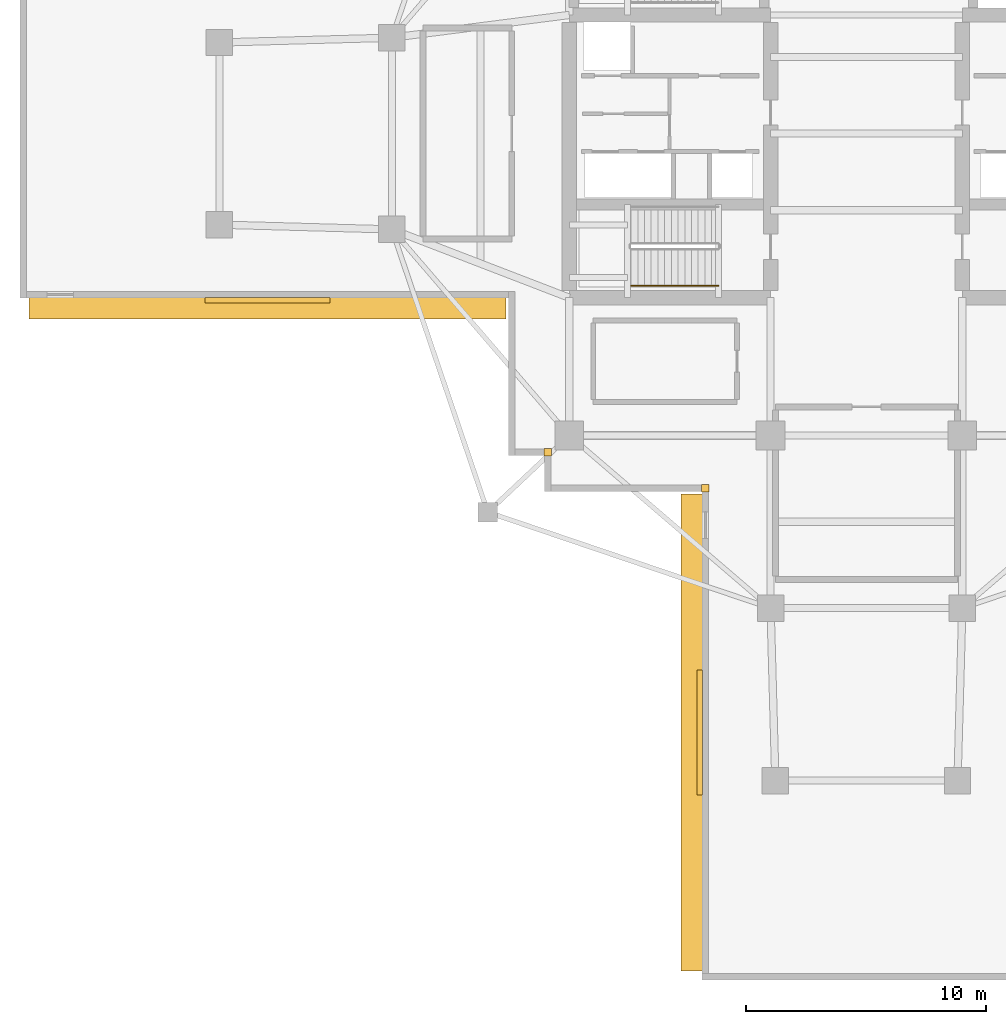
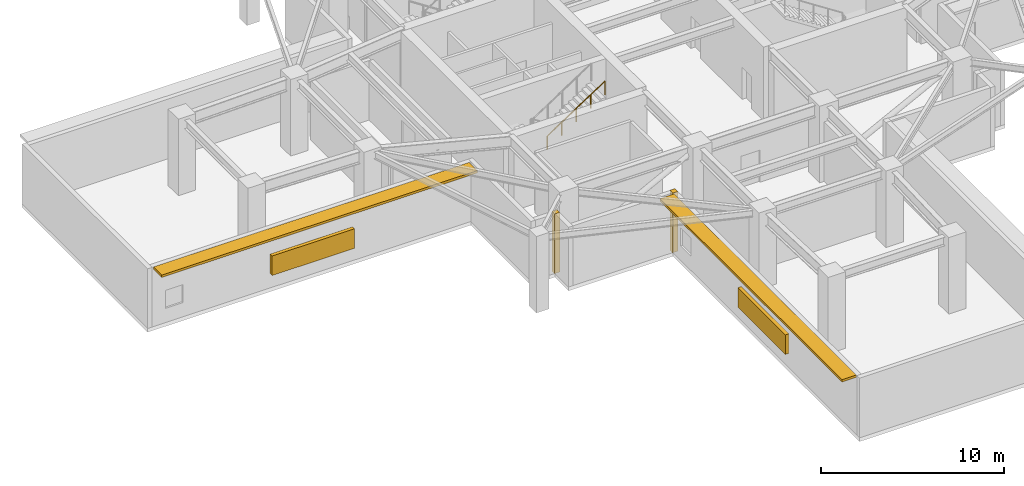
# One storey, part 7 of 11: 4 shading devices, 2 coverings, 1 railing.
"""IFC4 building model written with IfcOpenShell, lengths in metres."""

from ifc_helpers import new_model, si_unit, direction, frame, origin, origin_2d, place, context, subcontext, project, spatial, rectangle, circle, extrude, material, layer, layer_set, type_object, element, save


model = new_model("IFC4")

# Units and contexts
model_context = context("Model", 3, precision=1e-05, world=origin(), true_north=direction((0.0, 1.0)))
body_context = subcontext(model_context, "Body", "Model", "MODEL_VIEW")
ifc_project = project(units=[si_unit("LENGTHUNIT", "METRE"), si_unit("AREAUNIT", "SQUARE_METRE"), si_unit("VOLUMEUNIT", "CUBIC_METRE"), si_unit("PLANEANGLEUNIT", "RADIAN"), si_unit("MASSUNIT", "GRAM", prefix="KILO")], contexts=[model_context])

# Site, building, storey
site_placement = place(None, origin())
site = spatial("IfcSite", under=ifc_project, at=site_placement, CompositionType="ELEMENT")
building_placement = place(site_placement, origin())
building = spatial("IfcBuilding", under=site, at=building_placement, Name="Qingluan Cross Belvedere", CompositionType="ELEMENT")
storey_placement = place(building_placement, frame((0.0, 0.0, 143.699951171875)))
storey = spatial("IfcBuildingStorey", under=building, at=storey_placement, Name="L36", CompositionType="ELEMENT", Elevation=143.699951171875)

# Coverings
ifc_material_1 = material(Name="Precast concrete C45", Category="concrete")
ifc_layer_1 = layer(ifc_material_1, 0.1201171875, Name="ConcreteSpandrelCladding_120")
ifc_layer_set_1 = layer_set([ifc_layer_1], Name="Precast concrete C45")
covering_type = type_object("IfcCoveringType", Name="ConcreteSpandrelCladding_120", PredefinedType="CLADDING", material=ifc_layer_set_1)
for number, where, z_axis, x_axis, name in (
    (1, (-13.300048828125, -13.300048828125, 0.0), (0.0, 0.0, 1.0), (1.0, 0.0, 0.0), "Corner closure L36-SW1"),
    (2, (-6.719970703125, -14.800048828125, 0.0), (0.0, 0.0, 1.0), (1.0, 0.0, 0.0), "Corner closure L36-SW2"),
):
    element("IfcCovering", number, at=place(storey_placement, frame(where, z_axis=z_axis, x_axis=x_axis)), inside=storey, type_object=covering_type, Name=name, PredefinedType="CLADDING", context=body_context, shape_type="SweptSolid", body=[
        extrude(rectangle(XDim=0.320068359375, YDim=0.320068359375, at=origin_2d()), origin(), (0.0, 0.0, 1.0), 3.97998046875),
    ])

# Shading devices
ifc_material_2 = material(Name="Precast concrete C45", Category="concrete")
ifc_layer_2 = layer(ifc_material_2, 0.159912109375, Name="ConcreteSunshadeBand_900")
ifc_layer_set_2 = layer_set([ifc_layer_2], Name="Precast concrete C45")
shading_device_type_1 = type_object("IfcShadingDeviceType", Name="ConcreteSunshadeBand_900", PredefinedType="USERDEFINED", material=ifc_layer_set_2)
for number, where, z_axis, x_axis, name in (
    (3, (-24.989990234375, -7.2900390625, 3.80029296875), (0.0, 0.0, 1.0), (1.0, 0.0, 0.0), "Concrete SUNSHADE L36-WB"),
    (4, (-7.2900390625, -24.989990234375, 3.80029296875), (0.0, 0.0, 1.0), (0.0, -1.0, 0.0), "Concrete SUNSHADE L36-SA"),
):
    element("IfcShadingDevice", number, at=place(storey_placement, frame(where, z_axis=z_axis, x_axis=x_axis)), inside=storey, type_object=shading_device_type_1, Name=name, ObjectType="SUNSHADE", PredefinedType="USERDEFINED", context=body_context, shape_type="SweptSolid", body=[
        extrude(rectangle(XDim=19.89990234375, YDim=0.89990234375, at=origin_2d()), origin(), (0.0, 0.0, 1.0), 0.159912109375),
    ])
ifc_material_3 = material(Name="Anodised aluminium acoustic louvre screen", Category="aluminium")
ifc_layer_3 = layer(ifc_material_3, 0.219970703125, Name="RefugeAcousticLouvre_Screen")
ifc_layer_set_3 = layer_set([ifc_layer_3], Name="Anodised aluminium acoustic louvre screen")
shading_device_type_2 = type_object("IfcShadingDeviceType", Name="RefugeAcousticLouvre_Screen", PredefinedType="JALOUSIE", material=ifc_layer_set_3)
for number, where, z_axis, x_axis, name in (
    (5, (-24.989990234375, -6.9599609375, 0.9501953125), (0.0, 0.0, 1.0), (1.0, 0.0, 0.0), "Plant acoustic louvre SCREEN L36-WB"),
    (6, (-6.9599609375, -24.989990234375, 0.9501953125), (0.0, 0.0, 1.0), (0.0, -1.0, 0.0), "Plant acoustic louvre SCREEN L36-SA"),
):
    element("IfcShadingDevice", number, at=place(storey_placement, frame(where, z_axis=z_axis, x_axis=x_axis)), inside=storey, type_object=shading_device_type_2, Name=name, PredefinedType="JALOUSIE", context=body_context, shape_type="SweptSolid", body=[
        extrude(rectangle(XDim=5.199951171875, YDim=0.219970703125, at=origin_2d()), origin(), (0.0, 0.0, 1.0), 1.300048828125),
    ])

# Railing
ifc_material_4 = material(Name="Brushed stainless steel tubular handrail", Category="steel")
railing_type = type_object("IfcRailingType", Name="StairPitchHandrail_900", PredefinedType="HANDRAIL", material=ifc_material_4)
railing_placement = place(storey_placement, frame((-9.820068359375, -6.35009765625, 2.732177734375)))
element("IfcRailing", 7, at=railing_placement, inside=storey, type_object=railing_type, Name="L36 ST1 stair handrail 2", PredefinedType="HANDRAIL", context=body_context, shape_type="SweptSolid", body=[
    extrude(circle(Radius=0.02392578125, at=origin_2d()), frame((0.0, 0.0, 0.8759765625), z_axis=(0.83825089185, 0.0, 0.545284735081), x_axis=(0.0, 1.0, 0.0)), (0.0, 0.0, 1.0), 4.342529296875),
    extrude(circle(Radius=0.02099609375, at=origin_2d()), origin(), (0.0, 0.0, 1.0), 0.851806640625),
    extrude(circle(Radius=0.02099609375, at=origin_2d()), frame((0.91015625, 0.0, 0.592041015625)), (0.0, 0.0, 1.0), 0.851806640625),
    extrude(circle(Radius=0.02099609375, at=origin_2d()), frame((1.820068359375, 0.0, 1.18408203125)), (0.0, 0.0, 1.0), 0.851806640625),
    extrude(circle(Radius=0.02099609375, at=origin_2d()), frame((2.72998046875, 0.0, 1.77587890625)), (0.0, 0.0, 1.0), 0.851806640625),
    extrude(circle(Radius=0.02099609375, at=origin_2d()), frame((3.64013671875, 0.0, 2.367919921875)), (0.0, 0.0, 1.0), 0.851806640625),
])

save(model, "model.ifc")
